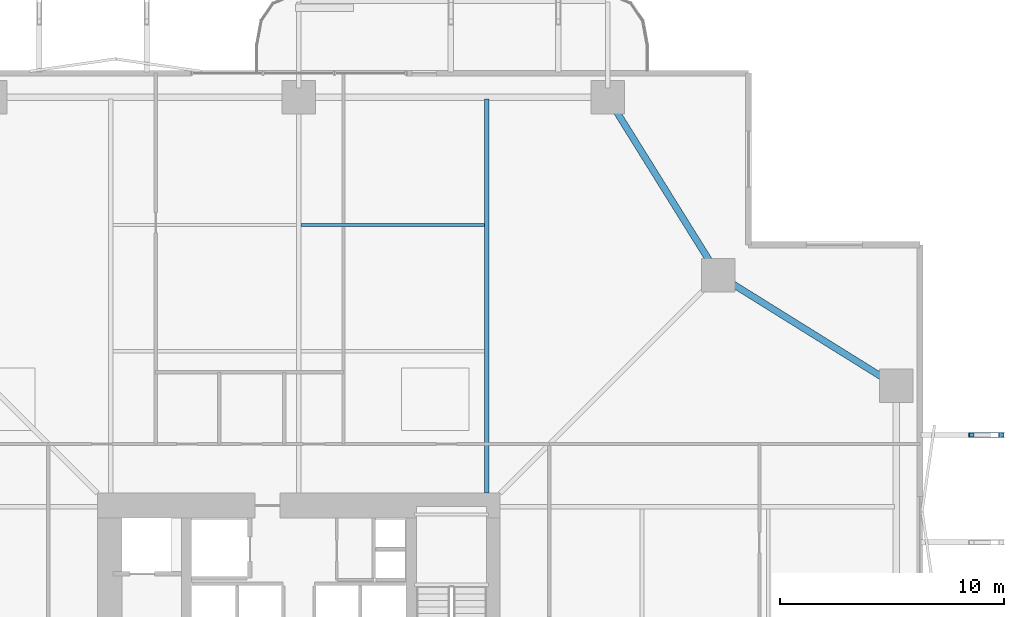
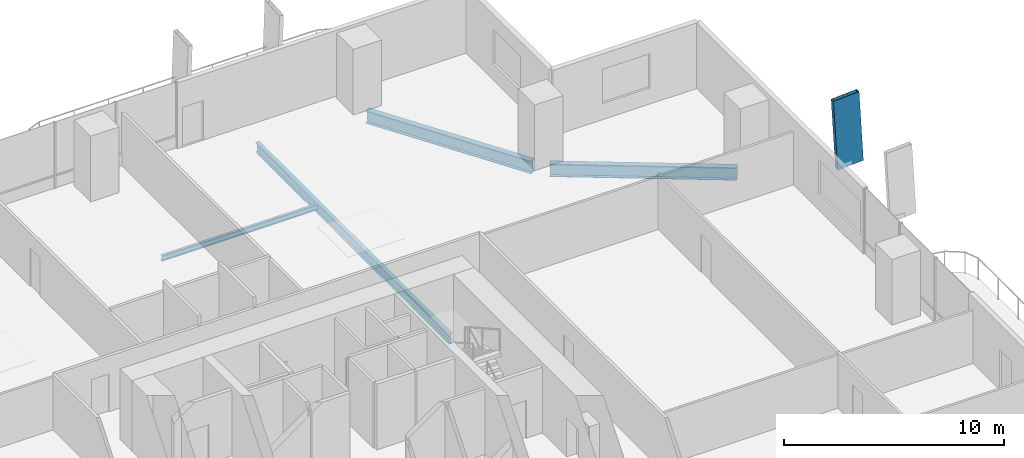
# One storey, part 14 of 23: 4 beams, 1 member.
"""IFC4 building model written with IfcOpenShell, lengths in metres."""

from ifc_helpers import new_model, si_unit, direction, frame, origin, origin_2d, place, context, subcontext, project, spatial, hollow_rectangle, i_section, extrude, material, material_profile, profile_set, type_object, element, save


model = new_model("IFC4")

# Units and contexts
model_context = context("Model", 3, precision=1e-05, world=origin(), true_north=direction((0.0, 1.0)))
body_context = subcontext(model_context, "Body", "Model", "MODEL_VIEW")
ifc_project = project(units=[si_unit("LENGTHUNIT", "METRE"), si_unit("AREAUNIT", "SQUARE_METRE"), si_unit("VOLUMEUNIT", "CUBIC_METRE"), si_unit("PLANEANGLEUNIT", "RADIAN"), si_unit("MASSUNIT", "GRAM", prefix="KILO")], contexts=[model_context])

# Site, building, storey
site_placement = place(None, origin())
site = spatial("IfcSite", under=ifc_project, at=site_placement, CompositionType="ELEMENT")
building_placement = place(site_placement, origin())
building = spatial("IfcBuilding", under=site, at=building_placement, Name="Belovzor Exchange Tower", CompositionType="ELEMENT")
storey_placement = place(building_placement, frame((0.0, 0.0, 41.699951171875)))
storey = spatial("IfcBuildingStorey", under=building, at=storey_placement, Name="L09", CompositionType="ELEMENT", Elevation=41.699951171875)

# Member
ifc_material_1 = material(Name="Extruded Architectural Terracotta on Steel S355 Carrier", Category="masonry")
ifc_material_profile_1 = material_profile(ifc_material_1, hollow_rectangle(XDim=0.219970703125, YDim=1.35009765625, WallThickness=0.013916015625, at=origin_2d()))
ifc_profile_set_1 = profile_set([ifc_material_profile_1], Name="Extruded Architectural Terracotta on Steel S355 Carrier")
member_type = type_object("IfcMemberType", Name="Base Arc Sweeping Terracotta Pylon Fin 1450", PredefinedType="USERDEFINED", material=ifc_profile_set_1)
member_placement = place(storey_placement, frame((59.64599609375, 40.39990234375, -0.25), z_axis=(-0.057619293609, 0.0, 0.998338628424), x_axis=(0.0, -1.0, 0.0)))
element("IfcMember", 1, at=member_placement, inside=storey, type_object=member_type, Name="FIN-TC145 Terracotta Facade Fin L09 E4", ObjectType="FIN", PredefinedType="USERDEFINED", context=body_context, shape_type="SweptSolid", body=[
    extrude(hollow_rectangle(XDim=0.219970703125, YDim=1.35009765625, WallThickness=0.013916015625, at=origin_2d()), origin(), (0.0, 0.0, 1.0), 3.90673828125),
])

# Beams
ifc_material_2 = material(Name="Steel S355", Category="steel")
ifc_material_profile_2 = material_profile(ifc_material_2, i_section(OverallWidth=0.14990234375, OverallDepth=0.300048828125, WebThickness=0.007080078125, FlangeThickness=0.0107421875, at=origin_2d()))
ifc_profile_set_2 = profile_set([ifc_material_profile_2], Name="Steel S355")
beam_type_1 = type_object("IfcBeamType", Name="Secondary Trim Floor Joist IPE 300", PredefinedType="BEAM", material=ifc_profile_set_2)
beam_1_placement = place(storey_placement, frame((28.905029296875, 49.784912109375, -0.39990234375), z_axis=(1.0, 0.0, 0.0), x_axis=(0.0, 1.0, 0.0)))
element("IfcBeam", 2, at=beam_1_placement, inside=storey, type_object=beam_type_1, Name="FJ-300 Secondary Trim Floor Joist IPE 300", PredefinedType="BEAM", context=body_context, shape_type="SweptSolid", body=[
    extrude(i_section(OverallWidth=0.14990234375, OverallDepth=0.300048828125, WebThickness=0.007080078125, FlangeThickness=0.0107421875, at=origin_2d()), origin(), (0.0, 0.0, 1.0), 8.18994140625),
])
ifc_material_3 = material(Name="Steel S355", Category="steel")
ifc_material_profile_3 = material_profile(ifc_material_3, i_section(OverallWidth=0.300048828125, OverallDepth=0.699951171875, WebThickness=0.01708984375, FlangeThickness=0.031982421875, at=origin_2d()))
ifc_profile_set_3 = profile_set([ifc_material_profile_3], Name="Steel S355")
beam_type_2 = type_object("IfcBeamType", Name="Zone 1 Primary Perimeter Girder HEB 700", PredefinedType="BEAM", material=ifc_profile_set_3)
for number, where, z_axis, x_axis, name in (
    (3, (55.14990234375, 42.818115234375, -0.599853515625), (-0.848909251292, 0.528538629686, 0.0), (-0.528538629686, -0.848909251292, 0.0), "FG-Z1 Zone 1 Primary Perimeter Girder HEB 700"),
    (4, (47.33203125, 47.89990234375, -0.599853515625), (-0.528538629686, 0.848909251292, 0.0), (-0.848909251292, -0.528538629686, 0.0), "FG-Z1 Zone 1 Primary Perimeter Girder HEB 700"),
):
    element("IfcBeam", number, at=place(storey_placement, frame(where, z_axis=z_axis, x_axis=x_axis)), inside=storey, type_object=beam_type_2, Name=name, PredefinedType="BEAM", context=body_context, shape_type="SweptSolid", body=[
        extrude(i_section(OverallWidth=0.300048828125, OverallDepth=0.699951171875, WebThickness=0.01708984375, FlangeThickness=0.031982421875, at=origin_2d()), origin(), (0.0, 0.0, 1.0), 8.540283203125),
    ])
ifc_material_4 = material(Name="Steel S355", Category="steel")
ifc_material_profile_4 = material_profile(ifc_material_4, i_section(OverallWidth=0.2099609375, OverallDepth=0.550048828125, WebThickness=0.010986328125, FlangeThickness=0.01708984375, at=origin_2d()))
ifc_profile_set_4 = profile_set([ifc_material_profile_4], Name="Steel S355")
beam_type_3 = type_object("IfcBeamType", Name="Zone 1 Radial Composite Floor Beam IPE 550", PredefinedType="BEAM", material=ifc_profile_set_4)
beam_2_placement = place(storey_placement, frame((37.199951171875, 37.800048828125, -0.52490234375), z_axis=(0.0, 1.0, 0.0), x_axis=(-1.0, 0.0, 0.0)))
element("IfcBeam", 5, at=beam_2_placement, inside=storey, type_object=beam_type_3, Name="FB-550 Zone 1 Radial Composite Floor Beam IPE 550", PredefinedType="BEAM", context=body_context, shape_type="SweptSolid", body=[
    extrude(i_section(OverallWidth=0.2099609375, OverallDepth=0.550048828125, WebThickness=0.010986328125, FlangeThickness=0.01708984375, at=origin_2d()), origin(), (0.0, 0.0, 1.0), 17.625),
])

save(model, "model.ifc")
